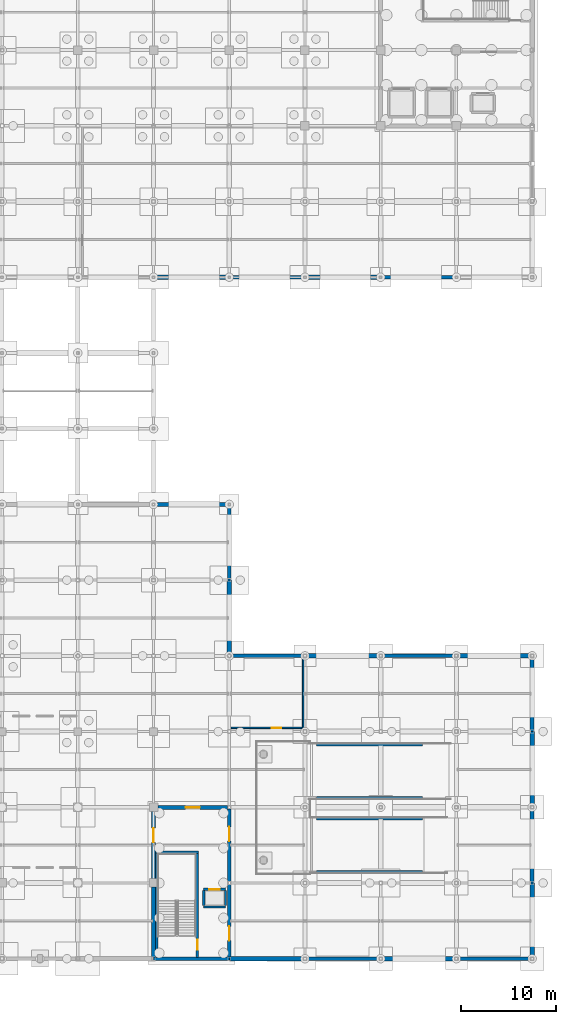
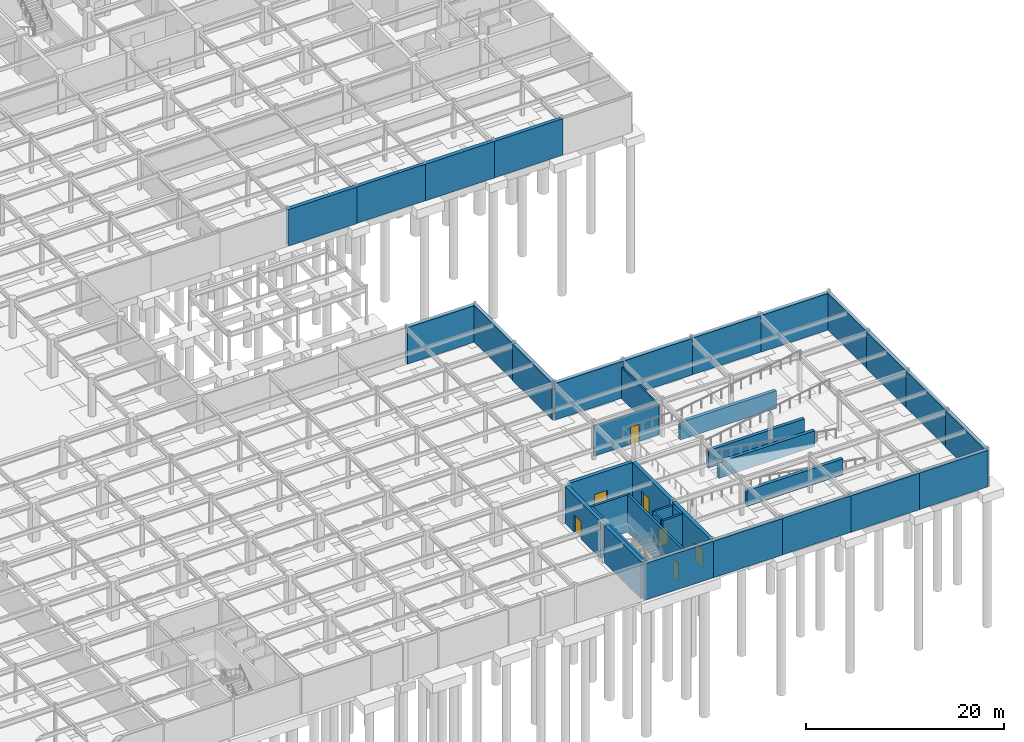
# One storey, part 60 of 105: 38 walls, 7 doors, 7 openings.
"""IFC4 building model written with IfcOpenShell, lengths in metres."""

from ifc_helpers import new_model, si_unit, direction, frame, frame_2d, origin, place, context, subcontext, project, spatial, rectangle, extrude, material, layer, layer_set, type_object, element, fill, save


model = new_model("IFC4")

# Units and contexts
model_context = context("Model", 3, precision=1e-05, world=origin(), true_north=direction((0.0, 1.0)))
body_context = subcontext(model_context, "Body", "Model", "MODEL_VIEW")
ifc_project = project(units=[si_unit("LENGTHUNIT", "METRE"), si_unit("AREAUNIT", "SQUARE_METRE"), si_unit("VOLUMEUNIT", "CUBIC_METRE"), si_unit("PLANEANGLEUNIT", "RADIAN"), si_unit("MASSUNIT", "GRAM", prefix="KILO")], contexts=[model_context])

# Site, building, storey
site_placement = place(None, origin())
site = spatial("IfcSite", under=ifc_project, at=site_placement, CompositionType="ELEMENT")
building_placement = place(site_placement, origin())
building = spatial("IfcBuilding", under=site, at=building_placement, Name="Solmirada Galleria", CompositionType="ELEMENT")
storey_placement = place(building_placement, frame((0.0, 0.0, -4.800048828125)))
storey = spatial("IfcBuildingStorey", under=building, at=storey_placement, Name="B1", CompositionType="ELEMENT", Elevation=-4.800048828125)

# Walls
ifc_material_1 = material(Name="Concrete C40/50", Category="concrete")
ifc_layer_1 = layer(ifc_material_1, 0.3798828125)
ifc_layer_set_1 = layer_set([ifc_layer_1], Name="Concrete C40/50")
wall_type_1 = type_object("IfcWallType", Name="WL-CORE-380", PredefinedType="SHEAR", material=ifc_layer_set_1)
for number, where, z_axis, x_axis, name in (
    (1, (153.199951171875, 9.14990234375, 0.0), (0.0, 0.0, 1.0), (1.0, 0.0, 0.0), "Vehicle ramp structural support wall 1"),
    (2, (153.199951171875, 14.85009765625, 0.0), (0.0, 0.0, 1.0), (1.0, 0.0, 0.0), "Vehicle ramp structural support wall 2"),
):
    element("IfcWall", number, at=place(storey_placement, frame(where, z_axis=z_axis, x_axis=x_axis)), inside=storey, type_object=wall_type_1, Name=name, PredefinedType="SHEAR", context=body_context, shape_type="SweptSolid", body=[
        extrude(rectangle(XDim=11.199951171875, YDim=0.3798828125, at=frame_2d((5.60009765625, 0.0))), origin(), (0.0, 0.0, 1.0), 1.949951171875),
    ])
for number, where, z_axis, x_axis, name in (
    (3, (153.199951171875, 16.949951171875, 0.0), (0.0, 0.0, 1.0), (1.0, 0.0, 0.0), "Vehicle ramp structural support wall 3"),
    (4, (153.199951171875, 22.64990234375, 0.0), (0.0, 0.0, 1.0), (1.0, 0.0, 0.0), "Vehicle ramp structural support wall 4"),
):
    element("IfcWall", number, at=place(storey_placement, frame(where, z_axis=z_axis, x_axis=x_axis)), inside=storey, type_object=wall_type_1, Name=name, PredefinedType="SHEAR", context=body_context, shape_type="SweptSolid", body=[
        extrude(rectangle(XDim=11.199951171875, YDim=0.3798828125, at=frame_2d((5.60009765625, 0.0))), origin(), (0.0, 0.0, 1.0), 2.150146484375),
    ])

# Wall, opening, door
ifc_layer_2 = layer(ifc_material_1, 0.419921875)
ifc_layer_set_2 = layer_set([ifc_layer_2], Name="Concrete C40/50")
wall_type_2 = type_object("IfcWallType", Name="WL-CORE-420", PredefinedType="SHEAR", material=ifc_layer_set_2)
wall_1_placement = place(storey_placement, frame((136.449951171875, 16.0, 0.0), z_axis=(0.0, 0.0, 1.0), x_axis=(1.0, 0.0, 0.0)))
wall_1 = element("IfcWall", 5, at=wall_1_placement, inside=storey, type_object=wall_type_2, Name="Core C6 shear wall B1 N1", PredefinedType="SHEAR", context=body_context, shape_type="SweptSolid", body=[
    extrude(rectangle(XDim=7.3720703125, YDim=0.419921875, at=frame_2d((3.68603515625, 0.0))), origin(), (0.0, 0.0, 1.0), 4.580078125),
])
opening_1_placement = place(wall_1_placement, frame((2.93603515625, 0.0, 0.0)))
opening_1 = element("IfcOpeningElement", 6, at=opening_1_placement, cuts=wall_1, Name="Opening LDY-236", PredefinedType="OPENING", context=body_context, shape_type="SweptSolid", body=[
    extrude(rectangle(XDim=1.5, YDim=2.14990234375, at=frame_2d((0.75, 1.074951171875))), frame((0.0, 0.219970703125, 0.0), z_axis=(0.0, -1.0, 0.0), x_axis=(1.0, 0.0, 0.0)), (0.0, 0.0, 1.0), 0.43994140625),
])
ifc_material_2 = material(Name="Fire-rated painted steel door assembly", Category="steel")
door_type_1 = type_object("IfcDoorType", Name="DR-LOBBY-150X215", OperationType="DOUBLE_DOOR_SINGLE_SWING", PredefinedType="DOOR", material=ifc_material_2)
door_1_placement = place(opening_1_placement, origin())
door_1 = element("IfcDoor", 7, at=door_1_placement, inside=storey, type_object=door_type_1, Name="Core C6 lobby access fire door LDY-236", OperationType="DOUBLE_DOOR_SINGLE_SWING", OverallHeight=2.14990234375, OverallWidth=1.5, PredefinedType="DOOR", context=body_context, shape_type="SweptSolid", body=[
    extrude(rectangle(XDim=1.5, YDim=2.14990234375, at=frame_2d((0.75, 1.074951171875))), frame((0.0, 0.02490234375, 0.0), z_axis=(0.0, -1.0, 0.0), x_axis=(1.0, 0.0, 0.0)), (0.0, 0.0, 1.0), 0.050048828125),
])
fill(opening_1, door_1)

# Wall
wall_2_placement = place(storey_placement, frame((136.0, 0.202880859375, 0.0), z_axis=(0.0, 0.0, 1.0), x_axis=(0.0, 1.0, 0.0)))
element("IfcWall", 8, at=wall_2_placement, inside=storey, type_object=wall_type_2, Name="Core C6 shear wall B1 W1", PredefinedType="SHEAR", context=body_context, shape_type="SweptSolid", body=[
    extrude(rectangle(XDim=7.34716796875, YDim=0.419921875, at=frame_2d((3.673583984375, 0.0))), origin(), (0.0, 0.0, 1.0), 4.580078125),
])

# Wall, opening, door
wall_3_placement = place(storey_placement, frame((136.0, 8.449951171875, 0.0), z_axis=(0.0, 0.0, 1.0), x_axis=(0.0, 1.0, 0.0)))
wall_3 = element("IfcWall", 9, at=wall_3_placement, inside=storey, type_object=wall_type_2, Name="Core C6 shear wall B1 W2", PredefinedType="SHEAR", context=body_context, shape_type="SweptSolid", body=[
    extrude(rectangle(XDim=7.10009765625, YDim=0.419921875, at=frame_2d((3.550048828125, 0.0))), origin(), (0.0, 0.0, 1.0), 4.580078125),
])
opening_2_placement = place(wall_3_placement, frame((3.85009765625, 0.0, 0.0)))
opening_2 = element("IfcOpeningElement", 10, at=opening_2_placement, cuts=wall_3, Name="Opening LDY-237", PredefinedType="OPENING", context=body_context, shape_type="SweptSolid", body=[
    extrude(rectangle(XDim=1.5, YDim=2.14990234375, at=frame_2d((0.75, 1.074951171875))), frame((0.0, 0.219970703125, 0.0), z_axis=(0.0, -1.0, 0.0), x_axis=(1.0, 0.0, 0.0)), (0.0, 0.0, 1.0), 0.43994140625),
])
door_2_placement = place(opening_2_placement, origin())
door_2 = element("IfcDoor", 11, at=door_2_placement, inside=storey, type_object=door_type_1, Name="Core C6 lobby access fire door LDY-237", OperationType="DOUBLE_DOOR_SINGLE_SWING", OverallHeight=2.14990234375, OverallWidth=1.5, PredefinedType="DOOR", context=body_context, shape_type="SweptSolid", body=[
    extrude(rectangle(XDim=1.5, YDim=2.14990234375, at=frame_2d((0.75, 1.074951171875))), frame((0.0, 0.02490234375, 0.0), z_axis=(0.0, -1.0, 0.0), x_axis=(1.0, 0.0, 0.0)), (0.0, 0.0, 1.0), 0.050048828125),
])
fill(opening_2, door_2)

wall_4_placement = place(storey_placement, frame((144.0, 0.177978515625, 0.0), z_axis=(0.0, 0.0, 1.0), x_axis=(0.0, 1.0, 0.0)))
wall_4 = element("IfcWall", 12, at=wall_4_placement, inside=storey, type_object=wall_type_2, Name="Core C6 shear wall B1 E1", PredefinedType="SHEAR", context=body_context, shape_type="SweptSolid", body=[
    extrude(rectangle(XDim=7.64404296875, YDim=0.419921875, at=frame_2d((3.822021484375, 0.0))), origin(), (0.0, 0.0, 1.0), 4.580078125),
])
opening_3_placement = place(wall_4_placement, frame((1.736083984375, 0.0, 0.0)))
opening_3 = element("IfcOpeningElement", 13, at=opening_3_placement, cuts=wall_4, Name="Opening LDY-238", PredefinedType="OPENING", context=body_context, shape_type="SweptSolid", body=[
    extrude(rectangle(XDim=1.5, YDim=2.14990234375, at=frame_2d((0.75, 1.074951171875))), frame((0.0, 0.219970703125, 0.0), z_axis=(0.0, -1.0, 0.0), x_axis=(1.0, 0.0, 0.0)), (0.0, 0.0, 1.0), 0.43994140625),
])
door_3_placement = place(opening_3_placement, origin())
door_3 = element("IfcDoor", 14, at=door_3_placement, inside=storey, type_object=door_type_1, Name="Core C6 lobby access fire door LDY-238", OperationType="DOUBLE_DOOR_SINGLE_SWING", OverallHeight=2.14990234375, OverallWidth=1.5, PredefinedType="DOOR", context=body_context, shape_type="SweptSolid", body=[
    extrude(rectangle(XDim=1.5, YDim=2.14990234375, at=frame_2d((0.75, 1.074951171875))), frame((0.0, 0.02490234375, 0.0), z_axis=(0.0, -1.0, 0.0), x_axis=(1.0, 0.0, 0.0)), (0.0, 0.0, 1.0), 0.050048828125),
])
fill(opening_3, door_3)

wall_5_placement = place(storey_placement, frame((144.0, 8.177978515625, 0.0), z_axis=(0.0, 0.0, 1.0), x_axis=(0.0, 1.0, 0.0)))
wall_5 = element("IfcWall", 15, at=wall_5_placement, inside=storey, type_object=wall_type_2, Name="Core C6 shear wall B1 E2", PredefinedType="SHEAR", context=body_context, shape_type="SweptSolid", body=[
    extrude(rectangle(XDim=7.64404296875, YDim=0.419921875, at=frame_2d((3.822021484375, 0.0))), origin(), (0.0, 0.0, 1.0), 4.580078125),
])
opening_4_placement = place(wall_5_placement, frame((4.258056640625, 0.0, 0.0)))
opening_4 = element("IfcOpeningElement", 16, at=opening_4_placement, cuts=wall_5, Name="Opening LDY-239", PredefinedType="OPENING", context=body_context, shape_type="SweptSolid", body=[
    extrude(rectangle(XDim=1.5, YDim=2.14990234375, at=frame_2d((0.75, 1.074951171875))), frame((0.0, 0.219970703125, 0.0), z_axis=(0.0, -1.0, 0.0), x_axis=(1.0, 0.0, 0.0)), (0.0, 0.0, 1.0), 0.43994140625),
])
door_4_placement = place(opening_4_placement, origin())
door_4 = element("IfcDoor", 17, at=door_4_placement, inside=storey, type_object=door_type_1, Name="Core C6 lobby access fire door LDY-239", OperationType="DOUBLE_DOOR_SINGLE_SWING", OverallHeight=2.14990234375, OverallWidth=1.5, PredefinedType="DOOR", context=body_context, shape_type="SweptSolid", body=[
    extrude(rectangle(XDim=1.5, YDim=2.14990234375, at=frame_2d((0.75, 1.074951171875))), frame((0.0, 0.02490234375, 0.0), z_axis=(0.0, -1.0, 0.0), x_axis=(1.0, 0.0, 0.0)), (0.0, 0.0, 1.0), 0.050048828125),
])
fill(opening_4, door_4)

ifc_layer_3 = layer(ifc_material_1, 0.239990234375)
ifc_layer_set_3 = layer_set([ifc_layer_3], Name="Concrete C40/50")
wall_type_3 = type_object("IfcWallType", Name="WL-HOIST-240", PredefinedType="PARTITIONING", material=ifc_layer_set_3)
wall_6_placement = place(storey_placement, frame((141.294921875, 7.330078125, 0.0), z_axis=(0.0, 0.0, 1.0), x_axis=(1.0, 0.0, 0.0)))
wall_6 = element("IfcWall", 18, at=wall_6_placement, inside=storey, type_object=wall_type_3, Name="Lift LP6 hoistway front wall B1", PredefinedType="PARTITIONING", context=body_context, shape_type="SweptSolid", body=[
    extrude(rectangle(XDim=2.31005859375, YDim=0.239990234375, at=frame_2d((1.155029296875, 0.0))), origin(), (0.0, 0.0, 1.0), 4.580078125),
])
opening_5_placement = place(wall_6_placement, frame((0.60498046875, 0.0, 0.0)))
opening_5 = element("IfcOpeningElement", 19, at=opening_5_placement, cuts=wall_6, Name="Opening LD-LP6-B1", PredefinedType="OPENING", context=body_context, shape_type="SweptSolid", body=[
    extrude(rectangle(XDim=1.10009765625, YDim=2.14990234375, at=frame_2d((0.550048828125, 1.074951171875))), frame((0.0, 0.1298828125, 0.0), z_axis=(0.0, -1.0, 0.0), x_axis=(1.0, 0.0, 0.0)), (0.0, 0.0, 1.0), 0.260009765625),
])
ifc_material_3 = material(Name="Brushed stainless-steel sliding landing door", Category="steel")
door_type_2 = type_object("IfcDoorType", Name="DR-LIFT-110X215", OperationType="SLIDING_TO_LEFT", PredefinedType="DOOR", material=ifc_material_3)
door_5_placement = place(opening_5_placement, origin())
door_5 = element("IfcDoor", 20, at=door_5_placement, inside=storey, type_object=door_type_2, Name="Lift LP6 sliding landing door B1", OperationType="SLIDING_TO_LEFT", OverallHeight=2.14990234375, OverallWidth=1.10009765625, PredefinedType="DOOR", context=body_context, shape_type="SweptSolid", body=[
    extrude(rectangle(XDim=1.10009765625, YDim=2.14990234375, at=frame_2d((0.550048828125, 1.074951171875))), frame((0.0, 0.02490234375, 0.0), z_axis=(0.0, -1.0, 0.0), x_axis=(1.0, 0.0, 0.0)), (0.0, 0.0, 1.0), 0.050048828125),
])
fill(opening_5, door_5)

# Walls
wall_7_placement = place(storey_placement, frame((141.294921875, 5.469970703125, 0.0), z_axis=(0.0, 0.0, 1.0), x_axis=(1.0, 0.0, 0.0)))
element("IfcWall", 21, at=wall_7_placement, inside=storey, type_object=wall_type_3, Name="Lift LP6 hoistway rear wall B1", PredefinedType="PARTITIONING", context=body_context, shape_type="SweptSolid", body=[
    extrude(rectangle(XDim=2.31005859375, YDim=0.239990234375, at=frame_2d((1.155029296875, 0.0))), origin(), (0.0, 0.0, 1.0), 4.580078125),
])
for number, where, z_axis, x_axis, name in (
    (22, (141.294921875, 5.610107421875, 0.0), (0.0, 0.0, 1.0), (0.0, 1.0, 0.0), "Lift LP6 hoistway side wall L B1"),
    (23, (143.60498046875, 5.610107421875, 0.0), (0.0, 0.0, 1.0), (0.0, 1.0, 0.0), "Lift LP6 hoistway side wall R B1"),
):
    element("IfcWall", number, at=place(storey_placement, frame(where, z_axis=z_axis, x_axis=x_axis)), inside=storey, type_object=wall_type_3, Name=name, PredefinedType="PARTITIONING", context=body_context, shape_type="SweptSolid", body=[
        extrude(rectangle(XDim=1.579833984375, YDim=0.239990234375, at=frame_2d((0.7900390625, 0.0))), origin(), (0.0, 0.0, 1.0), 4.580078125),
    ])

# Wall, opening, door
ifc_material_4 = material(Name="Acoustic gypsum board partition")
ifc_layer_4 = layer(ifc_material_4, 0.159912109375)
ifc_layer_set_4 = layer_set([ifc_layer_4], Name="Acoustic gypsum board partition")
wall_type_4 = type_object("IfcWallType", Name="WL-PART-160", PredefinedType="PARTITIONING", material=ifc_layer_set_4)
wall_8_placement = place(storey_placement, frame((144.199951171875, 24.39990234375, 0.0), z_axis=(0.0, 0.0, 1.0), x_axis=(1.0, 0.0, 0.0)))
wall_8 = element("IfcWall", 24, at=wall_8_placement, inside=storey, type_object=wall_type_4, Name="Partition B1-008 (B1 Accessible WC)", PredefinedType="PARTITIONING", context=body_context, shape_type="SweptSolid", body=[
    extrude(rectangle(XDim=7.60009765625, YDim=0.159912109375, at=frame_2d((3.800048828125, 0.0))), origin(), (0.0, 0.0, 1.0), 3.780029296875),
])
opening_6_placement = place(wall_8_placement, frame((4.27001953125, 0.0, 0.0)))
opening_6 = element("IfcOpeningElement", 25, at=opening_6_placement, cuts=wall_8, Name="Opening ID-263", PredefinedType="OPENING", context=body_context, shape_type="SweptSolid", body=[
    extrude(rectangle(XDim=1.02001953125, YDim=2.10009765625, at=frame_2d((0.510009765625, 1.050048828125))), frame((0.0, 0.08984375, 0.0), z_axis=(0.0, -1.0, 0.0), x_axis=(1.0, 0.0, 0.0)), (0.0, 0.0, 1.0), 0.179931640625),
])
ifc_material_5 = material(Name="Architectural hardwood veneer door", Category="wood")
door_type_3 = type_object("IfcDoorType", Name="DR-AWC-102X210", OperationType="NOTDEFINED", PredefinedType="DOOR", material=ifc_material_5)
door_6_placement = place(opening_6_placement, origin())
door_6 = element("IfcDoor", 26, at=door_6_placement, inside=storey, type_object=door_type_3, Name="B1 Accessible WC door ID-263", OperationType="SINGLE_SWING_LEFT", OverallHeight=2.10009765625, OverallWidth=1.02001953125, PredefinedType="DOOR", context=body_context, shape_type="SweptSolid", body=[
    extrude(rectangle(XDim=1.02001953125, YDim=2.10009765625, at=frame_2d((0.510009765625, 1.050048828125))), frame((0.0, 0.02490234375, 0.0), z_axis=(0.0, -1.0, 0.0), x_axis=(1.0, 0.0, 0.0)), (0.0, 0.0, 1.0), 0.050048828125),
])
fill(opening_6, door_6)

# Walls
wall_9_placement = place(storey_placement, frame((151.800048828125, 24.39990234375, 0.0), z_axis=(0.0, 0.0, 1.0), x_axis=(0.0, 1.0, 0.0)))
element("IfcWall", 27, at=wall_9_placement, inside=storey, type_object=wall_type_4, Name="Partition B1-009 (B1 Accessible WC Side)", PredefinedType="PARTITIONING", context=body_context, shape_type="SweptSolid", body=[
    extrude(rectangle(XDim=7.400146484375, YDim=0.159912109375, at=frame_2d((3.7001953125, 0.0))), origin(), (0.0, 0.0, 1.0), 3.780029296875),
])
ifc_material_6 = material(Name="Concrete C35/45", Category="concrete")
ifc_layer_5 = layer(ifc_material_6, 0.39990234375)
ifc_layer_set_5 = layer_set([ifc_layer_5], Name="Concrete C35/45")
wall_type_5 = type_object("IfcWallType", Name="WL-RET-400", PredefinedType="USERDEFINED", material=ifc_layer_set_5)
for number, where, z_axis, x_axis, name in (
    (28, (176.0, 0.0, 0.0), (0.0, 0.0, 1.0), (-1.0, 0.0, 0.0), "Basement retaining wall 001"),
    (29, (160.0, 0.0, 0.0), (0.0, 0.0, 1.0), (-1.0, 0.0, 0.0), "Basement retaining wall 003"),
    (30, (144.0, 0.0, 0.0), (0.0, 0.0, 1.0), (-1.0, 0.0, 0.0), "Basement retaining wall 005"),
    (31, (168.0, 72.0, 0.0), (0.0, 0.0, 1.0), (-1.0, 0.0, 0.0), "Basement retaining wall 085"),
    (32, (152.0, 72.0, 0.0), (0.0, 0.0, 1.0), (-1.0, 0.0, 0.0), "Basement retaining wall 087"),
    (33, (144.0, 48.0, 0.0), (0.0, 0.0, 1.0), (0.0, -1.0, 0.0), "Basement retaining wall 099"),
    (34, (144.0, 32.0, 0.0), (0.0, 0.0, 1.0), (1.0, 0.0, 0.0), "Basement retaining wall 101"),
    (35, (160.0, 32.0, 0.0), (0.0, 0.0, 1.0), (1.0, 0.0, 0.0), "Basement retaining wall 103"),
    (36, (176.0, 32.0, 0.0), (0.0, 0.0, 1.0), (0.0, -1.0, 0.0), "Basement retaining wall 105"),
    (37, (176.0, 16.0, 0.0), (0.0, 0.0, 1.0), (0.0, -1.0, 0.0), "Basement retaining wall 107"),
):
    element("IfcWall", number, at=place(storey_placement, frame(where, z_axis=z_axis, x_axis=x_axis)), inside=storey, type_object=wall_type_5, Name=name, ObjectType="RETAININGWALL", PredefinedType="USERDEFINED", context=body_context, shape_type="SweptSolid", body=[
        extrude(rectangle(XDim=8.0, YDim=0.39990234375, at=frame_2d((4.0, 0.0))), origin(), (0.0, 0.0, 1.0), 4.5),
    ])
ifc_layer_6 = layer(ifc_material_6, 0.449951171875)
ifc_layer_set_6 = layer_set([ifc_layer_6], Name="Concrete C35/45")
wall_type_6 = type_object("IfcWallType", Name="WL-RET-450", PredefinedType="USERDEFINED", material=ifc_layer_set_6)
for number, where, z_axis, x_axis, name in (
    (38, (168.0, 0.0, 0.0), (0.0, 0.0, 1.0), (-1.0, 0.0, 0.0), "Basement retaining wall 002"),
    (39, (152.0, 0.0, 0.0), (0.0, 0.0, 1.0), (-1.0, 0.0, 0.0), "Basement retaining wall 004"),
    (40, (160.0, 72.0, 0.0), (0.0, 0.0, 1.0), (-1.0, 0.0, 0.0), "Basement retaining wall 086"),
    (41, (144.0, 72.0, 0.0), (0.0, 0.0, 1.0), (-1.0, 0.0, 0.0), "Basement retaining wall 088"),
    (42, (136.0, 48.0, 0.0), (0.0, 0.0, 1.0), (1.0, 0.0, 0.0), "Basement retaining wall 098"),
    (43, (144.0, 40.0, 0.0), (0.0, 0.0, 1.0), (0.0, -1.0, 0.0), "Basement retaining wall 100"),
    (44, (152.0, 32.0, 0.0), (0.0, 0.0, 1.0), (1.0, 0.0, 0.0), "Basement retaining wall 102"),
    (45, (168.0, 32.0, 0.0), (0.0, 0.0, 1.0), (1.0, 0.0, 0.0), "Basement retaining wall 104"),
    (46, (176.0, 24.0, 0.0), (0.0, 0.0, 1.0), (0.0, -1.0, 0.0), "Basement retaining wall 106"),
    (47, (176.0, 8.0, 0.0), (0.0, 0.0, 1.0), (0.0, -1.0, 0.0), "Basement retaining wall 108"),
):
    element("IfcWall", number, at=place(storey_placement, frame(where, z_axis=z_axis, x_axis=x_axis)), inside=storey, type_object=wall_type_6, Name=name, ObjectType="RETAININGWALL", PredefinedType="USERDEFINED", context=body_context, shape_type="SweptSolid", body=[
        extrude(rectangle(XDim=8.0, YDim=0.449951171875, at=frame_2d((4.0, 0.0))), origin(), (0.0, 0.0, 1.0), 4.5),
    ])
ifc_layer_7 = layer(ifc_material_1, 0.260009765625)
ifc_layer_set_7 = layer_set([ifc_layer_7], Name="Concrete C40/50")
wall_type_7 = type_object("IfcWallType", Name="WL-SHAFT-260", PredefinedType="SHEAR", material=ifc_layer_set_7)
wall_10_placement = place(storey_placement, frame((136.18994140625, 11.22998046875, 0.0), z_axis=(0.0, 0.0, 1.0), x_axis=(1.0, 0.0, 0.0)))
element("IfcWall", 48, at=wall_10_placement, inside=storey, type_object=wall_type_7, Name="Stair ST6 enclosure wall B1 N", PredefinedType="SHEAR", context=body_context, shape_type="SweptSolid", body=[
    extrude(rectangle(XDim=4.570068359375, YDim=0.260009765625, at=frame_2d((2.28515625, 0.0))), origin(), (0.0, 0.0, 1.0), 4.580078125),
])
wall_11_placement = place(storey_placement, frame((136.320068359375, 0.14501953125, 0.0), z_axis=(0.0, 0.0, 1.0), x_axis=(0.0, 1.0, 0.0)))
element("IfcWall", 49, at=wall_11_placement, inside=storey, type_object=wall_type_7, Name="Stair ST6 enclosure wall B1 W", PredefinedType="SHEAR", context=body_context, shape_type="SweptSolid", body=[
    extrude(rectangle(XDim=10.955078125, YDim=0.260009765625, at=frame_2d((5.4775390625, 0.0))), origin(), (0.0, 0.0, 1.0), 4.580078125),
])

# Wall, opening, door
wall_12_placement = place(storey_placement, frame((140.6298828125, 0.14501953125, 0.0), z_axis=(0.0, 0.0, 1.0), x_axis=(0.0, 1.0, 0.0)))
wall_12 = element("IfcWall", 50, at=wall_12_placement, inside=storey, type_object=wall_type_7, Name="Stair ST6 enclosure wall B1 E", PredefinedType="SHEAR", context=body_context, shape_type="SweptSolid", body=[
    extrude(rectangle(XDim=10.955078125, YDim=0.260009765625, at=frame_2d((5.4775390625, 0.0))), origin(), (0.0, 0.0, 1.0), 4.580078125),
])
opening_7_placement = place(wall_12_placement, frame((0.804931640625, 0.0, 0.0)))
opening_7 = element("IfcOpeningElement", 51, at=opening_7_placement, cuts=wall_12, Name="Opening SD-235", PredefinedType="OPENING", context=body_context, shape_type="SweptSolid", body=[
    extrude(rectangle(XDim=1.050048828125, YDim=2.14990234375, at=frame_2d((0.52490234375, 1.074951171875))), frame((0.0, 0.139892578125, 0.0), z_axis=(0.0, -1.0, 0.0), x_axis=(1.0, 0.0, 0.0)), (0.0, 0.0, 1.0), 0.280029296875),
])
door_type_4 = type_object("IfcDoorType", Name="DR-STAIR-105X215", OperationType="NOTDEFINED", PredefinedType="DOOR", material=ifc_material_2)
door_7_placement = place(opening_7_placement, origin())
door_7 = element("IfcDoor", 52, at=door_7_placement, inside=storey, type_object=door_type_4, Name="Exit stair ST6 enclosure fire door SD-235", OperationType="SINGLE_SWING_RIGHT", OverallHeight=2.14990234375, OverallWidth=1.050048828125, PredefinedType="DOOR", context=body_context, shape_type="SweptSolid", body=[
    extrude(rectangle(XDim=1.050048828125, YDim=2.14990234375, at=frame_2d((0.52490234375, 1.074951171875))), frame((0.0, 0.02490234375, 0.0), z_axis=(0.0, -1.0, 0.0), x_axis=(1.0, 0.0, 0.0)), (0.0, 0.0, 1.0), 0.050048828125),
])
fill(opening_7, door_7)

save(model, "model.ifc")
